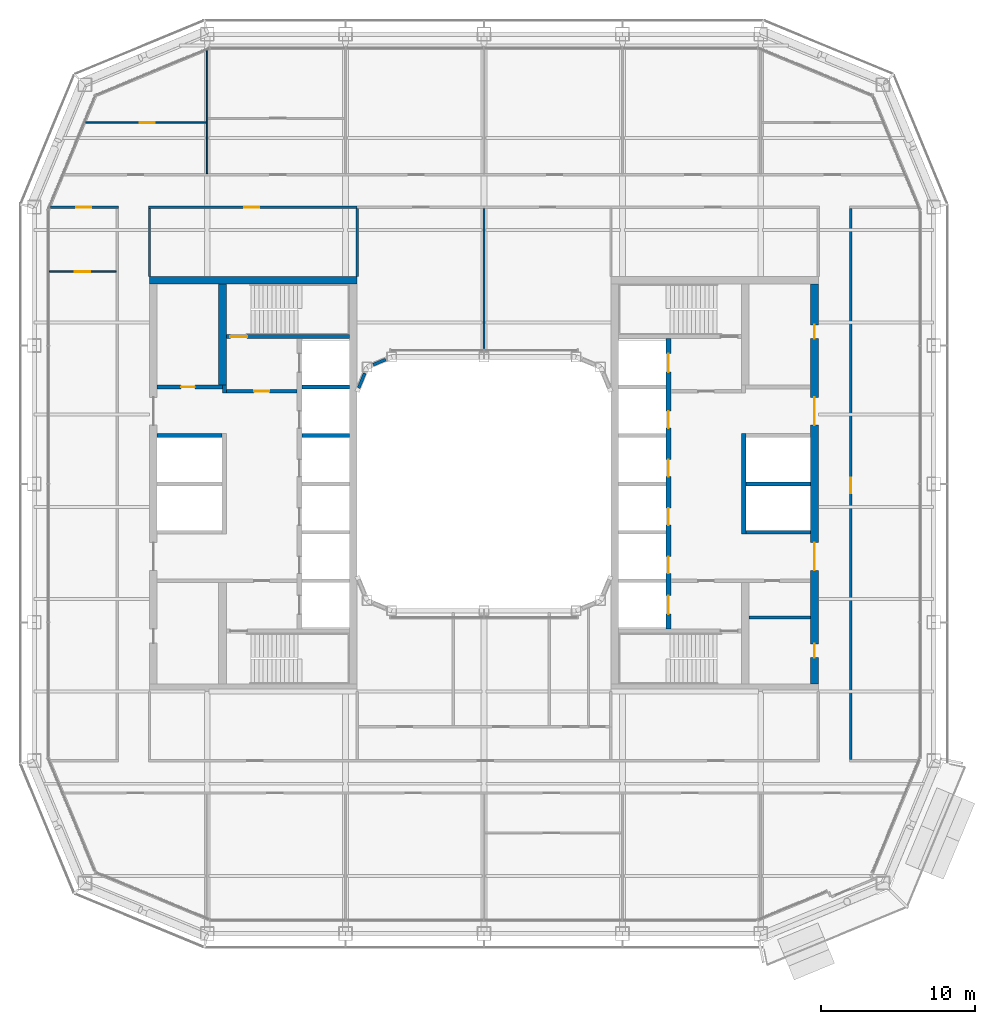
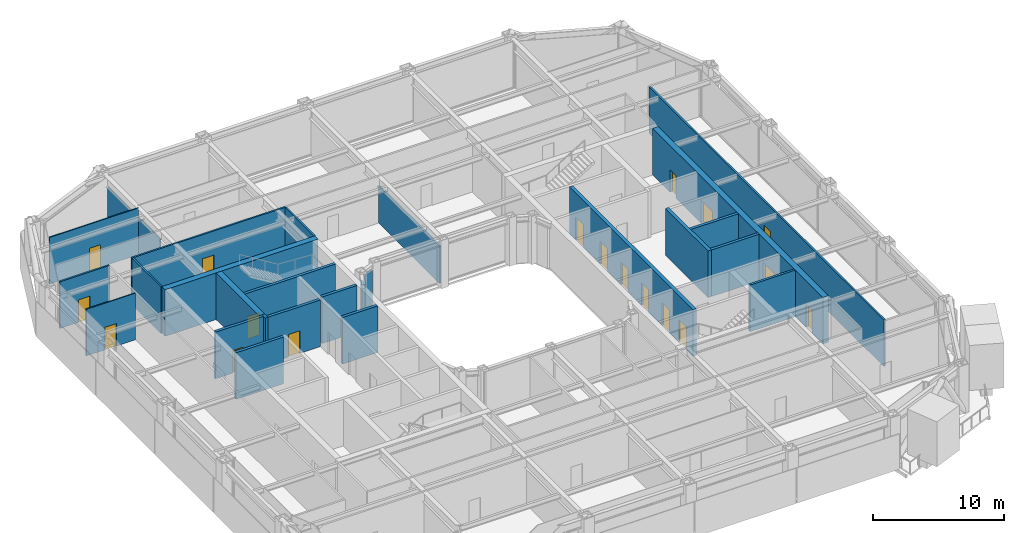
# One storey, part 13 of 23: 26 walls, 18 doors, 18 openings.
"""IFC4 building model written with IfcOpenShell, lengths in metres."""

from ifc_helpers import new_model, si_unit, direction, frame, frame_2d, origin, place, context, subcontext, project, spatial, rectangle, extrude, material, layer, layer_set, type_object, element, fill, save


model = new_model("IFC4")

# Units and contexts
model_context = context("Model", 3, precision=1e-05, world=origin(), true_north=direction((0.0, 1.0)))
body_context = subcontext(model_context, "Body", "Model", "MODEL_VIEW")
ifc_project = project(units=[si_unit("LENGTHUNIT", "METRE"), si_unit("AREAUNIT", "SQUARE_METRE"), si_unit("VOLUMEUNIT", "CUBIC_METRE"), si_unit("PLANEANGLEUNIT", "RADIAN"), si_unit("MASSUNIT", "GRAM", prefix="KILO")], contexts=[model_context])

# Site, building, storey
site_placement = place(None, origin())
site = spatial("IfcSite", under=ifc_project, at=site_placement, CompositionType="ELEMENT")
building_placement = place(site_placement, origin())
building = spatial("IfcBuilding", under=site, at=building_placement, Name="Siwar Civic Tower", CompositionType="ELEMENT")
storey_placement = place(building_placement, frame((0.0, 0.0, 163.199951171875)))
storey = spatial("IfcBuildingStorey", under=building, at=storey_placement, Name="L35", CompositionType="ELEMENT", Elevation=163.199951171875)

# Walls
ifc_material_1 = material(Name="Gypsum board on steel studs", Category="steel")
ifc_layer_1 = layer(ifc_material_1, 0.14990234375)
ifc_layer_set_1 = layer_set([ifc_layer_1], Name="Gypsum board on steel studs")
wall_type_1 = type_object("IfcWallType", Name="COMPARTMENT PARTITION 150 EI 60", PredefinedType="PARTITIONING", material=ifc_layer_set_1)
wall_1_placement = place(storey_placement, frame((-8.25, 13.5, 0.0), z_axis=(0.0, 0.0, 1.0), x_axis=(0.0, 1.0, 0.0)))
element("IfcWall", 1, at=wall_1_placement, inside=storey, type_object=wall_type_1, Name="L35/wall/P26", PredefinedType="PARTITIONING", context=body_context, shape_type="SweptSolid", body=[
    extrude(rectangle(XDim=4.425048828125, YDim=0.14990234375, at=frame_2d((2.21240234375, 0.0))), origin(), (0.0, 0.0, 1.0), 4.35009765625),
])
wall_2_placement = place(storey_placement, frame((0.0, 8.64990234375, 0.0), z_axis=(0.0, 0.0, 1.0), x_axis=(0.0, 1.0, 0.0)))
element("IfcWall", 2, at=wall_2_placement, inside=storey, type_object=wall_type_1, Name="L35/wall/P30", PredefinedType="PARTITIONING", context=body_context, shape_type="SweptSolid", body=[
    extrude(rectangle(XDim=9.275146484375, YDim=0.14990234375, at=frame_2d((4.6376953125, 0.0))), origin(), (0.0, 0.0, 1.0), 3.449951171875),
])
ifc_material_2 = material(Name="Gypsum board on steel studs", Category="steel")
ifc_layer_2 = layer(ifc_material_2, 0.199951171875)
ifc_layer_set_2 = layer_set([ifc_layer_2], Name="Gypsum board on steel studs")
wall_type_2 = type_object("IfcWallType", Name="CORE-PARTITION-200", PredefinedType="PARTITIONING", material=ifc_layer_set_2)
wall_3_placement = place(storey_placement, frame((17.25, -8.699951171875, 0.0), z_axis=(0.0, 0.0, 1.0), x_axis=(1.0, 0.0, 0.0)))
element("IfcWall", 3, at=wall_3_placement, inside=storey, type_object=wall_type_2, Name="Core partition E", PredefinedType="PARTITIONING", context=body_context, shape_type="SweptSolid", body=[
    extrude(rectangle(XDim=4.0, YDim=0.199951171875, at=frame_2d((2.0, 0.0))), origin(), (0.0, 0.0, 1.0), 4.35009765625),
])

# Wall, opening, door
ifc_material_3 = material(Name="Concrete C60/75", Category="concrete")
ifc_layer_3 = layer(ifc_material_3, 0.25)
ifc_layer_set_3 = layer_set([ifc_layer_3], Name="Concrete C60/75")
wall_type_3 = type_object("IfcWallType", Name="CORE-WALL-RC250", PredefinedType="SHEAR", material=ifc_layer_set_3)
wall_4_placement = place(storey_placement, frame((-12.14990234375, 6.02490234375, 0.0), z_axis=(0.0, 0.0, 1.0), x_axis=(-1.0, 0.0, 0.0)))
wall_4 = element("IfcWall", 4, at=wall_4_placement, inside=storey, type_object=wall_type_3, Name="Core wall W", PredefinedType="SHEAR", context=body_context, shape_type="SweptSolid", body=[
    extrude(rectangle(XDim=4.60009765625, YDim=0.25, at=frame_2d((2.300048828125, 0.0))), origin(), (0.0, 0.0, 1.0), 4.35009765625),
])
opening_1_placement = place(wall_4_placement, frame((1.800048828125, 0.0, 0.0)))
opening_1 = element("IfcOpeningElement", 5, at=opening_1_placement, cuts=wall_4, Name="Opening L35-CW01", PredefinedType="OPENING", context=body_context, shape_type="SweptSolid", body=[
    extrude(rectangle(XDim=1.0, YDim=2.10009765625, at=frame_2d((0.5, 1.050048828125))), frame((0.0, 0.135009765625, 0.0), z_axis=(0.0, -1.0, 0.0), x_axis=(1.0, 0.0, 0.0)), (0.0, 0.0, 1.0), 0.27001953125),
])
ifc_material_4 = material(Name="Steel door leaf", Category="steel")
door_type_1 = type_object("IfcDoorType", Name="CORE-DOOR-FD30S", OperationType="SINGLE_SWING_LEFT", PredefinedType="DOOR", material=ifc_material_4)
door_1_placement = place(opening_1_placement, origin())
door_1 = element("IfcDoor", 6, at=door_1_placement, inside=storey, type_object=door_type_1, Name="Firefighting lobby door L35-CW01", OperationType="SINGLE_SWING_LEFT", OverallHeight=2.10009765625, OverallWidth=1.0, PredefinedType="DOOR", context=body_context, shape_type="SweptSolid", body=[
    extrude(rectangle(XDim=1.0, YDim=2.10009765625, at=frame_2d((0.5, 1.050048828125))), frame((0.0, 0.02490234375, 0.0), z_axis=(0.0, -1.0, 0.0), x_axis=(1.0, 0.0, 0.0)), (0.0, 0.0, 1.0), 0.050048828125),
])
fill(opening_1, door_1)

# Wall
wall_5_placement = place(storey_placement, frame((-16.875, 5.89990234375, 0.0), z_axis=(0.0, 0.0, 1.0), x_axis=(0.0, 1.0, 0.0)))
element("IfcWall", 7, at=wall_5_placement, inside=storey, type_object=wall_type_3, Name="Core wall W", PredefinedType="SHEAR", context=body_context, shape_type="SweptSolid", body=[
    extrude(rectangle(XDim=0.525146484375, YDim=0.25, at=frame_2d((0.2626953125, 0.0))), origin(), (0.0, 0.0, 1.0), 4.35009765625),
])

# Wall, opening, door
wall_6_placement = place(storey_placement, frame((-17.0, 6.300048828125, 0.0), z_axis=(0.0, 0.0, 1.0), x_axis=(-1.0, 0.0, 0.0)))
wall_6 = element("IfcWall", 8, at=wall_6_placement, inside=storey, type_object=wall_type_3, Name="Core wall W", PredefinedType="SHEAR", context=body_context, shape_type="SweptSolid", body=[
    extrude(rectangle(XDim=4.25, YDim=0.25, at=frame_2d((2.125, 0.0))), origin(), (0.0, 0.0, 1.0), 4.35009765625),
])
opening_2_placement = place(wall_6_placement, frame((1.800048828125, 0.0, 0.0)))
opening_2 = element("IfcOpeningElement", 9, at=opening_2_placement, cuts=wall_6, Name="Opening L35-CW13", PredefinedType="OPENING", context=body_context, shape_type="SweptSolid", body=[
    extrude(rectangle(XDim=0.89990234375, YDim=2.10009765625, at=frame_2d((0.449951171875, 1.050048828125))), frame((0.0, 0.135009765625, 0.0), z_axis=(0.0, -1.0, 0.0), x_axis=(1.0, 0.0, 0.0)), (0.0, 0.0, 1.0), 0.27001953125),
])
ifc_material_5 = material(Name="Steel door leaf", Category="steel")
door_type_2 = type_object("IfcDoorType", Name="CORE-DOOR-ROOM", OperationType="SINGLE_SWING_LEFT", PredefinedType="DOOR", material=ifc_material_5)
door_2_placement = place(opening_2_placement, origin())
door_2 = element("IfcDoor", 10, at=door_2_placement, inside=storey, type_object=door_type_2, Name="Core room door L35-CW13", OperationType="SINGLE_SWING_LEFT", OverallHeight=2.10009765625, OverallWidth=0.89990234375, PredefinedType="DOOR", context=body_context, shape_type="SweptSolid", body=[
    extrude(rectangle(XDim=0.89990234375, YDim=2.10009765625, at=frame_2d((0.449951171875, 1.050048828125))), frame((0.0, 0.02490234375, 0.0), z_axis=(0.0, -1.0, 0.0), x_axis=(1.0, 0.0, 0.0)), (0.0, 0.0, 1.0), 0.050048828125),
])
fill(opening_2, door_2)

# Walls
wall_7_placement = place(storey_placement, frame((-17.050048828125, 3.14990234375, 0.0), z_axis=(0.0, 0.0, 1.0), x_axis=(-1.0, 0.0, 0.0)))
element("IfcWall", 11, at=wall_7_placement, inside=storey, type_object=wall_type_3, Name="Core wall W", PredefinedType="SHEAR", context=body_context, shape_type="SweptSolid", body=[
    extrude(rectangle(XDim=4.199951171875, YDim=0.25, at=frame_2d((2.10009765625, 0.0))), origin(), (0.0, 0.0, 1.0), 4.35009765625),
])
for number, where, z_axis, x_axis, name in (
    (12, (-8.75, 3.14990234375, 0.0), (0.0, 0.0, 1.0), (-1.0, 0.0, 0.0), "Core wall W"),
    (13, (-8.75, 6.300048828125, 0.0), (0.0, 0.0, 1.0), (-1.0, 0.0, 0.0), "Core wall W"),
):
    element("IfcWall", number, at=place(storey_placement, frame(where, z_axis=z_axis, x_axis=x_axis)), inside=storey, type_object=wall_type_3, Name=name, PredefinedType="SHEAR", context=body_context, shape_type="SweptSolid", body=[
        extrude(rectangle(XDim=3.10009765625, YDim=0.25, at=frame_2d((1.550048828125, 0.0))), origin(), (0.0, 0.0, 1.0), 4.35009765625),
    ])

# Wall, opening, door
wall_8_placement = place(storey_placement, frame((-8.75, 9.574951171875, 0.0), z_axis=(0.0, 0.0, 1.0), x_axis=(-1.0, 0.0, 0.0)))
wall_8 = element("IfcWall", 14, at=wall_8_placement, inside=storey, type_object=wall_type_3, Name="Core wall W", PredefinedType="SHEAR", context=body_context, shape_type="SweptSolid", body=[
    extrude(rectangle(XDim=8.0, YDim=0.25, at=frame_2d((4.0, 0.0))), origin(), (0.0, 0.0, 1.0), 4.35009765625),
])
opening_3_placement = place(wall_8_placement, frame((6.64990234375, 0.0, 0.0)))
opening_3 = element("IfcOpeningElement", 15, at=opening_3_placement, cuts=wall_8, Name="Opening L35-CW03", PredefinedType="OPENING", context=body_context, shape_type="SweptSolid", body=[
    extrude(rectangle(XDim=1.10009765625, YDim=2.10009765625, at=frame_2d((0.550048828125, 1.050048828125))), frame((0.0, 0.135009765625, 0.0), z_axis=(0.0, -1.0, 0.0), x_axis=(1.0, 0.0, 0.0)), (0.0, 0.0, 1.0), 0.27001953125),
])
ifc_material_6 = material(Name="Steel door leaf", Category="steel")
door_type_3 = type_object("IfcDoorType", Name="CORE-DOOR-FD60S", OperationType="SINGLE_SWING_LEFT", PredefinedType="DOOR", material=ifc_material_6)
door_3_placement = place(opening_3_placement, origin())
door_3 = element("IfcDoor", 16, at=door_3_placement, inside=storey, type_object=door_type_3, Name="Stair door L35-CW03", OperationType="SINGLE_SWING_RIGHT", OverallHeight=2.10009765625, OverallWidth=1.10009765625, PredefinedType="DOOR", context=body_context, shape_type="SweptSolid", body=[
    extrude(rectangle(XDim=1.10009765625, YDim=2.10009765625, at=frame_2d((0.550048828125, 1.050048828125))), frame((0.0, 0.02490234375, 0.0), z_axis=(0.0, -1.0, 0.0), x_axis=(1.0, 0.0, 0.0)), (0.0, 0.0, 1.0), 0.050048828125),
])
fill(opening_3, door_3)

# Walls
for number, where, z_axis, x_axis, name in (
    (17, (17.050048828125, 0.0, 0.0), (0.0, 0.0, 1.0), (1.0, 0.0, 0.0), "Core wall E"),
    (18, (17.050048828125, -3.14990234375, 0.0), (0.0, 0.0, 1.0), (1.0, 0.0, 0.0), "Core wall E"),
):
    element("IfcWall", number, at=place(storey_placement, frame(where, z_axis=z_axis, x_axis=x_axis)), inside=storey, type_object=wall_type_3, Name=name, PredefinedType="SHEAR", context=body_context, shape_type="SweptSolid", body=[
        extrude(rectangle(XDim=4.199951171875, YDim=0.25, at=frame_2d((2.10009765625, 0.0))), origin(), (0.0, 0.0, 1.0), 4.35009765625),
    ])

# Wall, openings, doors
ifc_material_7 = material(Name="Concrete C60/75", Category="concrete")
ifc_layer_4 = layer(ifc_material_7, 0.300048828125)
ifc_layer_set_4 = layer_set([ifc_layer_4], Name="Concrete C60/75")
wall_type_4 = type_object("IfcWallType", Name="CORE-WALL-RC300", PredefinedType="SHEAR", material=ifc_layer_set_4)
wall_9_placement = place(storey_placement, frame((12.0, -9.449951171875, 0.0), z_axis=(0.0, 0.0, 1.0), x_axis=(0.0, 1.0, 0.0)))
wall_9 = element("IfcWall", 19, at=wall_9_placement, inside=storey, type_object=wall_type_4, Name="Core wall E", PredefinedType="SHEAR", context=body_context, shape_type="SweptSolid", body=[
    extrude(rectangle(XDim=18.89990234375, YDim=0.300048828125, at=frame_2d((9.449951171875, 0.0))), origin(), (0.0, 0.0, 1.0), 4.35009765625),
])
opening_4_placement = place(wall_9_placement, frame((3.625, 0.0, 0.0)))
opening_4 = element("IfcOpeningElement", 20, at=opening_4_placement, cuts=wall_9, Name="Opening L35-CE07", PredefinedType="OPENING", context=body_context, shape_type="SweptSolid", body=[
    extrude(rectangle(XDim=1.10009765625, YDim=2.10009765625, at=frame_2d((0.550048828125, 1.050048828125))), frame((0.0, 0.16015625, 0.0), z_axis=(0.0, -1.0, 0.0), x_axis=(1.0, 0.0, 0.0)), (0.0, 0.0, 1.0), 0.320068359375),
])
opening_5_placement = place(wall_9_placement, frame((6.77490234375, 0.0, 0.0)))
opening_5 = element("IfcOpeningElement", 21, at=opening_5_placement, cuts=wall_9, Name="Opening L35-CE08", PredefinedType="OPENING", context=body_context, shape_type="SweptSolid", body=[
    extrude(rectangle(XDim=1.10009765625, YDim=2.10009765625, at=frame_2d((0.550048828125, 1.050048828125))), frame((0.0, 0.16015625, 0.0), z_axis=(0.0, -1.0, 0.0), x_axis=(1.0, 0.0, 0.0)), (0.0, 0.0, 1.0), 0.320068359375),
])
opening_6_placement = place(wall_9_placement, frame((9.925048828125, 0.0, 0.0)))
opening_6 = element("IfcOpeningElement", 22, at=opening_6_placement, cuts=wall_9, Name="Opening L35-CE09", PredefinedType="OPENING", context=body_context, shape_type="SweptSolid", body=[
    extrude(rectangle(XDim=1.10009765625, YDim=2.10009765625, at=frame_2d((0.550048828125, 1.050048828125))), frame((0.0, 0.16015625, 0.0), z_axis=(0.0, -1.0, 0.0), x_axis=(1.0, 0.0, 0.0)), (0.0, 0.0, 1.0), 0.320068359375),
])
opening_7_placement = place(wall_9_placement, frame((13.074951171875, 0.0, 0.0)))
opening_7 = element("IfcOpeningElement", 23, at=opening_7_placement, cuts=wall_9, Name="Opening L35-CE10", PredefinedType="OPENING", context=body_context, shape_type="SweptSolid", body=[
    extrude(rectangle(XDim=1.10009765625, YDim=2.10009765625, at=frame_2d((0.550048828125, 1.050048828125))), frame((0.0, 0.16015625, 0.0), z_axis=(0.0, -1.0, 0.0), x_axis=(1.0, 0.0, 0.0)), (0.0, 0.0, 1.0), 0.320068359375),
])
opening_8_placement = place(wall_9_placement, frame((16.72509765625, 0.0, 0.0)))
opening_8 = element("IfcOpeningElement", 24, at=opening_8_placement, cuts=wall_9, Name="Opening L35-CE11", PredefinedType="OPENING", context=body_context, shape_type="SweptSolid", body=[
    extrude(rectangle(XDim=1.199951171875, YDim=2.10009765625, at=frame_2d((0.60009765625, 1.050048828125))), frame((0.0, 0.16015625, 0.0), z_axis=(0.0, -1.0, 0.0), x_axis=(1.0, 0.0, 0.0)), (0.0, 0.0, 1.0), 0.320068359375),
])
opening_9_placement = place(wall_9_placement, frame((0.97509765625, 0.0, 0.0)))
opening_9 = element("IfcOpeningElement", 25, at=opening_9_placement, cuts=wall_9, Name="Opening L35-CE12", PredefinedType="OPENING", context=body_context, shape_type="SweptSolid", body=[
    extrude(rectangle(XDim=1.199951171875, YDim=2.10009765625, at=frame_2d((0.60009765625, 1.050048828125))), frame((0.0, 0.16015625, 0.0), z_axis=(0.0, -1.0, 0.0), x_axis=(1.0, 0.0, 0.0)), (0.0, 0.0, 1.0), 0.320068359375),
])
ifc_material_8 = material(Name="Steel door leaf", Category="steel")
door_type_4 = type_object("IfcDoorType", Name="CORE-DOOR-LD", OperationType="DOUBLE_DOOR_SLIDING", PredefinedType="DOOR", material=ifc_material_8)
door_4_placement = place(opening_4_placement, origin())
door_4 = element("IfcDoor", 26, at=door_4_placement, inside=storey, type_object=door_type_4, Name="Landing door LR5 L35-CE07", OperationType="DOUBLE_DOOR_SLIDING", OverallHeight=2.10009765625, OverallWidth=1.10009765625, PredefinedType="DOOR", context=body_context, shape_type="SweptSolid", body=[
    extrude(rectangle(XDim=1.10009765625, YDim=2.10009765625, at=frame_2d((0.550048828125, 1.050048828125))), frame((0.0, 0.02490234375, 0.0), z_axis=(0.0, -1.0, 0.0), x_axis=(1.0, 0.0, 0.0)), (0.0, 0.0, 1.0), 0.050048828125),
])
fill(opening_4, door_4)
door_5_placement = place(opening_5_placement, origin())
door_5 = element("IfcDoor", 27, at=door_5_placement, inside=storey, type_object=door_type_4, Name="Landing door LR6 L35-CE08", OperationType="DOUBLE_DOOR_SLIDING", OverallHeight=2.10009765625, OverallWidth=1.10009765625, PredefinedType="DOOR", context=body_context, shape_type="SweptSolid", body=[
    extrude(rectangle(XDim=1.10009765625, YDim=2.10009765625, at=frame_2d((0.550048828125, 1.050048828125))), frame((0.0, 0.02490234375, 0.0), z_axis=(0.0, -1.0, 0.0), x_axis=(1.0, 0.0, 0.0)), (0.0, 0.0, 1.0), 0.050048828125),
])
fill(opening_5, door_5)
door_6_placement = place(opening_6_placement, origin())
door_6 = element("IfcDoor", 28, at=door_6_placement, inside=storey, type_object=door_type_4, Name="Landing door LR7 L35-CE09", OperationType="DOUBLE_DOOR_SLIDING", OverallHeight=2.10009765625, OverallWidth=1.10009765625, PredefinedType="DOOR", context=body_context, shape_type="SweptSolid", body=[
    extrude(rectangle(XDim=1.10009765625, YDim=2.10009765625, at=frame_2d((0.550048828125, 1.050048828125))), frame((0.0, 0.02490234375, 0.0), z_axis=(0.0, -1.0, 0.0), x_axis=(1.0, 0.0, 0.0)), (0.0, 0.0, 1.0), 0.050048828125),
])
fill(opening_6, door_6)
door_7_placement = place(opening_7_placement, origin())
door_7 = element("IfcDoor", 29, at=door_7_placement, inside=storey, type_object=door_type_4, Name="Landing door LR8 L35-CE10", OperationType="DOUBLE_DOOR_SLIDING", OverallHeight=2.10009765625, OverallWidth=1.10009765625, PredefinedType="DOOR", context=body_context, shape_type="SweptSolid", body=[
    extrude(rectangle(XDim=1.10009765625, YDim=2.10009765625, at=frame_2d((0.550048828125, 1.050048828125))), frame((0.0, 0.02490234375, 0.0), z_axis=(0.0, -1.0, 0.0), x_axis=(1.0, 0.0, 0.0)), (0.0, 0.0, 1.0), 0.050048828125),
])
fill(opening_7, door_7)
ifc_material_9 = material(Name="Steel door leaf", Category="steel")
door_type_5 = type_object("IfcDoorType", Name="CORE-DOOR-LDW", OperationType="DOUBLE_DOOR_SLIDING", PredefinedType="DOOR", material=ifc_material_9)
door_8_placement = place(opening_8_placement, origin())
door_8 = element("IfcDoor", 30, at=door_8_placement, inside=storey, type_object=door_type_5, Name="Landing door FF2 L35-CE11", OperationType="DOUBLE_DOOR_SLIDING", OverallHeight=2.10009765625, OverallWidth=1.199951171875, PredefinedType="DOOR", context=body_context, shape_type="SweptSolid", body=[
    extrude(rectangle(XDim=1.199951171875, YDim=2.10009765625, at=frame_2d((0.60009765625, 1.050048828125))), frame((0.0, 0.02490234375, 0.0), z_axis=(0.0, -1.0, 0.0), x_axis=(1.0, 0.0, 0.0)), (0.0, 0.0, 1.0), 0.050048828125),
])
fill(opening_8, door_8)
door_9_placement = place(opening_9_placement, origin())
door_9 = element("IfcDoor", 31, at=door_9_placement, inside=storey, type_object=door_type_5, Name="Landing door SV2 L35-CE12", OperationType="DOUBLE_DOOR_SLIDING", OverallHeight=2.10009765625, OverallWidth=1.199951171875, PredefinedType="DOOR", context=body_context, shape_type="SweptSolid", body=[
    extrude(rectangle(XDim=1.199951171875, YDim=2.10009765625, at=frame_2d((0.60009765625, 1.050048828125))), frame((0.0, 0.02490234375, 0.0), z_axis=(0.0, -1.0, 0.0), x_axis=(1.0, 0.0, 0.0)), (0.0, 0.0, 1.0), 0.050048828125),
])
fill(opening_9, door_9)

# Walls
wall_10_placement = place(storey_placement, frame((16.89990234375, -3.27490234375, 0.0), z_axis=(0.0, 0.0, 1.0), x_axis=(0.0, 1.0, 0.0)))
element("IfcWall", 32, at=wall_10_placement, inside=storey, type_object=wall_type_4, Name="Core wall E", PredefinedType="SHEAR", context=body_context, shape_type="SweptSolid", body=[
    extrude(rectangle(XDim=6.5498046875, YDim=0.300048828125, at=frame_2d((3.27490234375, 0.0))), origin(), (0.0, 0.0, 1.0), 4.35009765625),
])
ifc_material_10 = material(Name="Concrete C60/75", Category="concrete")
ifc_layer_5 = layer(ifc_material_10, 0.5)
ifc_layer_set_5 = layer_set([ifc_layer_5], Name="Concrete C60/75")
wall_type_5 = type_object("IfcWallType", Name="CORE-WALL-RC500", PredefinedType="SHEAR", material=ifc_layer_set_5)
wall_11_placement = place(storey_placement, frame((-17.0, 6.425048828125, 0.0), z_axis=(0.0, 0.0, 1.0), x_axis=(0.0, 1.0, 0.0)))
element("IfcWall", 33, at=wall_11_placement, inside=storey, type_object=wall_type_5, Name="Core wall W", PredefinedType="SHEAR", context=body_context, shape_type="SweptSolid", body=[
    extrude(rectangle(XDim=6.574951171875, YDim=0.5, at=frame_2d((3.28759765625, 0.0))), origin(), (0.0, 0.0, 1.0), 4.35009765625),
])
wall_12_placement = place(storey_placement, frame((-8.25, 13.25, 0.0), z_axis=(0.0, 0.0, 1.0), x_axis=(-1.0, 0.0, 0.0)))
element("IfcWall", 34, at=wall_12_placement, inside=storey, type_object=wall_type_5, Name="Core wall W", PredefinedType="SHEAR", context=body_context, shape_type="SweptSolid", body=[
    extrude(rectangle(XDim=13.5, YDim=0.5, at=frame_2d((6.75, 0.0))), origin(), (0.0, 0.0, 1.0), 4.35009765625),
])

# Wall, openings, doors
wall_13_placement = place(storey_placement, frame((21.5, -13.0, 0.0), z_axis=(0.0, 0.0, 1.0), x_axis=(0.0, 1.0, 0.0)))
wall_13 = element("IfcWall", 35, at=wall_13_placement, inside=storey, type_object=wall_type_5, Name="Core wall E", PredefinedType="SHEAR", context=body_context, shape_type="SweptSolid", body=[
    extrude(rectangle(XDim=26.0, YDim=0.5, at=frame_2d((13.0, 0.0))), origin(), (0.0, 0.0, 1.0), 4.35009765625),
])
opening_10_placement = place(wall_13_placement, frame((16.824951171875, 0.0, 0.0)))
opening_10 = element("IfcOpeningElement", 36, at=opening_10_placement, cuts=wall_13, Name="Opening L35-CE05", PredefinedType="OPENING", context=body_context, shape_type="SweptSolid", body=[
    extrude(rectangle(XDim=1.800048828125, YDim=2.10009765625, at=frame_2d((0.89990234375, 1.050048828125))), frame((0.0, 0.260009765625, 0.0), z_axis=(0.0, -1.0, 0.0), x_axis=(1.0, 0.0, 0.0)), (0.0, 0.0, 1.0), 0.52001953125),
])
opening_11_placement = place(wall_13_placement, frame((7.375, 0.0, 0.0)))
opening_11 = element("IfcOpeningElement", 37, at=opening_11_placement, cuts=wall_13, Name="Opening L35-CE06", PredefinedType="OPENING", context=body_context, shape_type="SweptSolid", body=[
    extrude(rectangle(XDim=1.800048828125, YDim=2.10009765625, at=frame_2d((0.89990234375, 1.050048828125))), frame((0.0, 0.260009765625, 0.0), z_axis=(0.0, -1.0, 0.0), x_axis=(1.0, 0.0, 0.0)), (0.0, 0.0, 1.0), 0.52001953125),
])
opening_12_placement = place(wall_13_placement, frame((22.449951171875, 0.0, 0.0)))
opening_12 = element("IfcOpeningElement", 38, at=opening_12_placement, cuts=wall_13, Name="Opening L35-CE13", PredefinedType="OPENING", context=body_context, shape_type="SweptSolid", body=[
    extrude(rectangle(XDim=0.89990234375, YDim=2.10009765625, at=frame_2d((0.449951171875, 1.050048828125))), frame((0.0, 0.260009765625, 0.0), z_axis=(0.0, -1.0, 0.0), x_axis=(1.0, 0.0, 0.0)), (0.0, 0.0, 1.0), 0.52001953125),
])
opening_13_placement = place(wall_13_placement, frame((1.699951171875, 0.0, 0.0)))
opening_13 = element("IfcOpeningElement", 39, at=opening_13_placement, cuts=wall_13, Name="Opening L35-CE15", PredefinedType="OPENING", context=body_context, shape_type="SweptSolid", body=[
    extrude(rectangle(XDim=0.89990234375, YDim=2.10009765625, at=frame_2d((0.449951171875, 1.050048828125))), frame((0.0, 0.260009765625, 0.0), z_axis=(0.0, -1.0, 0.0), x_axis=(1.0, 0.0, 0.0)), (0.0, 0.0, 1.0), 0.52001953125),
])
ifc_material_11 = material(Name="Steel door leaf", Category="steel")
door_type_6 = type_object("IfcDoorType", Name="CORE-DOOR-PORT", OperationType="DOUBLE_DOOR_DOUBLE_SWING", PredefinedType="DOOR", material=ifc_material_11)
door_10_placement = place(opening_10_placement, origin())
door_10 = element("IfcDoor", 40, at=door_10_placement, inside=storey, type_object=door_type_6, Name="Core entrance door L35-CE05", OperationType="DOUBLE_DOOR_DOUBLE_SWING", OverallHeight=2.10009765625, OverallWidth=1.800048828125, PredefinedType="DOOR", context=body_context, shape_type="SweptSolid", body=[
    extrude(rectangle(XDim=1.800048828125, YDim=2.10009765625, at=frame_2d((0.89990234375, 1.050048828125))), frame((0.0, 0.02490234375, 0.0), z_axis=(0.0, -1.0, 0.0), x_axis=(1.0, 0.0, 0.0)), (0.0, 0.0, 1.0), 0.050048828125),
])
fill(opening_10, door_10)
door_11_placement = place(opening_11_placement, origin())
door_11 = element("IfcDoor", 41, at=door_11_placement, inside=storey, type_object=door_type_6, Name="Core entrance door L35-CE06", OperationType="DOUBLE_DOOR_DOUBLE_SWING", OverallHeight=2.10009765625, OverallWidth=1.800048828125, PredefinedType="DOOR", context=body_context, shape_type="SweptSolid", body=[
    extrude(rectangle(XDim=1.800048828125, YDim=2.10009765625, at=frame_2d((0.89990234375, 1.050048828125))), frame((0.0, 0.02490234375, 0.0), z_axis=(0.0, -1.0, 0.0), x_axis=(1.0, 0.0, 0.0)), (0.0, 0.0, 1.0), 0.050048828125),
])
fill(opening_11, door_11)
door_12_placement = place(opening_12_placement, origin())
door_12 = element("IfcDoor", 42, at=door_12_placement, inside=storey, type_object=door_type_2, Name="Core room door L35-CE13", OperationType="SINGLE_SWING_LEFT", OverallHeight=2.10009765625, OverallWidth=0.89990234375, PredefinedType="DOOR", context=body_context, shape_type="SweptSolid", body=[
    extrude(rectangle(XDim=0.89990234375, YDim=2.10009765625, at=frame_2d((0.449951171875, 1.050048828125))), frame((0.0, 0.02490234375, 0.0), z_axis=(0.0, -1.0, 0.0), x_axis=(1.0, 0.0, 0.0)), (0.0, 0.0, 1.0), 0.050048828125),
])
fill(opening_12, door_12)
door_13_placement = place(opening_13_placement, origin())
door_13 = element("IfcDoor", 43, at=door_13_placement, inside=storey, type_object=door_type_2, Name="Core room door L35-CE15", OperationType="SINGLE_SWING_LEFT", OverallHeight=2.10009765625, OverallWidth=0.89990234375, PredefinedType="DOOR", context=body_context, shape_type="SweptSolid", body=[
    extrude(rectangle(XDim=0.89990234375, YDim=2.10009765625, at=frame_2d((0.449951171875, 1.050048828125))), frame((0.0, 0.02490234375, 0.0), z_axis=(0.0, -1.0, 0.0), x_axis=(1.0, 0.0, 0.0)), (0.0, 0.0, 1.0), 0.050048828125),
])
fill(opening_13, door_13)

# Wall, opening, door
ifc_material_12 = material(Name="Gypsum board on steel studs", Category="steel")
ifc_layer_6 = layer(ifc_material_12, 0.14990234375)
ifc_layer_set_6 = layer_set([ifc_layer_6], Name="Gypsum board on steel studs")
wall_type_6 = type_object("IfcWallType", Name="CORRIDOR PARTITION 150 EI 30", PredefinedType="PARTITIONING", material=ifc_layer_set_6)
wall_14_placement = place(storey_placement, frame((-28.177978515625, 18.0, 0.0), z_axis=(0.0, 0.0, 1.0), x_axis=(1.0, 0.0, 0.0)))
wall_14 = element("IfcWall", 44, at=wall_14_placement, inside=storey, type_object=wall_type_6, Name="L35/wall/P09", PredefinedType="PARTITIONING", context=body_context, shape_type="SweptSolid", body=[
    extrude(rectangle(XDim=4.403076171875, YDim=0.14990234375, at=frame_2d((2.20166015625, 0.0))), origin(), (0.0, 0.0, 1.0), 4.35009765625),
])
opening_14_placement = place(wall_14_placement, frame((1.64990234375, 0.0, 0.0)))
opening_14 = element("IfcOpeningElement", 45, at=opening_14_placement, cuts=wall_14, Name="Opening D1", PredefinedType="OPENING", context=body_context, shape_type="SweptSolid", body=[
    extrude(rectangle(XDim=1.0, YDim=2.10009765625, at=frame_2d((0.5, 1.050048828125))), frame((0.0, 0.0849609375, 0.0), z_axis=(0.0, -1.0, 0.0), x_axis=(1.0, 0.0, 0.0)), (0.0, 0.0, 1.0), 0.169921875),
])
ifc_material_13 = material(Name="Timber, painted", Category="wood")
door_type_7 = type_object("IfcDoorType", Name="DOOR 1000 X 2100 FD30", OperationType="SINGLE_SWING_LEFT", PredefinedType="DOOR", material=ifc_material_13)
door_14_placement = place(opening_14_placement, origin())
door_14 = element("IfcDoor", 46, at=door_14_placement, inside=storey, type_object=door_type_7, Name="L35-D28", OperationType="SINGLE_SWING_RIGHT", OverallHeight=2.10009765625, OverallWidth=1.0, PredefinedType="DOOR", context=body_context, shape_type="SweptSolid", body=[
    extrude(rectangle(XDim=1.0, YDim=2.10009765625, at=frame_2d((0.5, 1.050048828125))), frame((0.0, 0.02490234375, 0.0), z_axis=(0.0, -1.0, 0.0), x_axis=(1.0, 0.0, 0.0)), (0.0, 0.0, 1.0), 0.050048828125),
])
fill(opening_14, door_14)

wall_15_placement = place(storey_placement, frame((-21.824951171875, 18.0, 0.0), z_axis=(0.0, 0.0, 1.0), x_axis=(1.0, 0.0, 0.0)))
wall_15 = element("IfcWall", 47, at=wall_15_placement, inside=storey, type_object=wall_type_6, Name="L35/wall/P10", PredefinedType="PARTITIONING", context=body_context, shape_type="SweptSolid", body=[
    extrude(rectangle(XDim=13.574951171875, YDim=0.14990234375, at=frame_2d((6.78759765625, 0.0))), origin(), (0.0, 0.0, 1.0), 4.35009765625),
])
opening_15_placement = place(wall_15_placement, frame((6.22509765625, 0.0, 0.0)))
opening_15 = element("IfcOpeningElement", 48, at=opening_15_placement, cuts=wall_15, Name="Opening D1", PredefinedType="OPENING", context=body_context, shape_type="SweptSolid", body=[
    extrude(rectangle(XDim=1.0, YDim=2.10009765625, at=frame_2d((0.5, 1.050048828125))), frame((0.0, 0.0849609375, 0.0), z_axis=(0.0, -1.0, 0.0), x_axis=(1.0, 0.0, 0.0)), (0.0, 0.0, 1.0), 0.169921875),
])
door_15_placement = place(opening_15_placement, origin())
door_15 = element("IfcDoor", 49, at=door_15_placement, inside=storey, type_object=door_type_7, Name="L35-D24", OperationType="SINGLE_SWING_RIGHT", OverallHeight=2.10009765625, OverallWidth=1.0, PredefinedType="DOOR", context=body_context, shape_type="SweptSolid", body=[
    extrude(rectangle(XDim=1.0, YDim=2.10009765625, at=frame_2d((0.5, 1.050048828125))), frame((0.0, 0.02490234375, 0.0), z_axis=(0.0, -1.0, 0.0), x_axis=(1.0, 0.0, 0.0)), (0.0, 0.0, 1.0), 0.050048828125),
])
fill(opening_15, door_15)

# Wall
wall_16_placement = place(storey_placement, frame((-21.75, 13.5, 0.0), z_axis=(0.0, 0.0, 1.0), x_axis=(0.0, 1.0, 0.0)))
element("IfcWall", 50, at=wall_16_placement, inside=storey, type_object=wall_type_6, Name="L35/wall/P20", PredefinedType="PARTITIONING", context=body_context, shape_type="SweptSolid", body=[
    extrude(rectangle(XDim=4.425048828125, YDim=0.14990234375, at=frame_2d((2.21240234375, 0.0))), origin(), (0.0, 0.0, 1.0), 4.35009765625),
])

# Wall, opening, door
wall_17_placement = place(storey_placement, frame((23.85009765625, -17.925048828125, 0.0), z_axis=(0.0, 0.0, 1.0), x_axis=(0.0, 1.0, 0.0)))
wall_17 = element("IfcWall", 51, at=wall_17_placement, inside=storey, type_object=wall_type_6, Name="L35/wall/P42", PredefinedType="PARTITIONING", context=body_context, shape_type="SweptSolid", body=[
    extrude(rectangle(XDim=35.85009765625, YDim=0.14990234375, at=frame_2d((17.925048828125, 0.0))), origin(), (0.0, 0.0, 1.0), 4.35009765625),
])
opening_16_placement = place(wall_17_placement, frame((17.324951171875, 0.0, 0.0)))
opening_16 = element("IfcOpeningElement", 52, at=opening_16_placement, cuts=wall_17, Name="Opening D1", PredefinedType="OPENING", context=body_context, shape_type="SweptSolid", body=[
    extrude(rectangle(XDim=1.0, YDim=2.10009765625, at=frame_2d((0.5, 1.050048828125))), frame((0.0, 0.0849609375, 0.0), z_axis=(0.0, -1.0, 0.0), x_axis=(1.0, 0.0, 0.0)), (0.0, 0.0, 1.0), 0.169921875),
])
door_16_placement = place(opening_16_placement, origin())
door_16 = element("IfcDoor", 53, at=door_16_placement, inside=storey, type_object=door_type_7, Name="L35-D30", OperationType="SINGLE_SWING_RIGHT", OverallHeight=2.10009765625, OverallWidth=1.0, PredefinedType="DOOR", context=body_context, shape_type="SweptSolid", body=[
    extrude(rectangle(XDim=1.0, YDim=2.10009765625, at=frame_2d((0.5, 1.050048828125))), frame((0.0, 0.02490234375, 0.0), z_axis=(0.0, -1.0, 0.0), x_axis=(1.0, 0.0, 0.0)), (0.0, 0.0, 1.0), 0.050048828125),
])
fill(opening_16, door_16)

# Walls
ifc_material_14 = material(Name="Aluminium clad insulated panel", Category="aluminium")
ifc_layer_7 = layer(ifc_material_14, 0.199951171875)
ifc_layer_set_7 = layer_set([ifc_layer_7], Name="Aluminium clad insulated panel")
wall_type_7 = type_object("IfcWallType", Name="ENV-WALL-WELL", PredefinedType="STANDARD", material=ifc_layer_set_7)
wall_18_placement = place(storey_placement, frame((-6.392333984375, 8.08740234375, 0.0), z_axis=(0.0, 0.0, 1.0), x_axis=(-0.923894108428, -0.382648241093, 0.0)))
element("IfcWall", 54, at=wall_18_placement, inside=storey, type_object=wall_type_7, Name="Light well corner wall NW1", PredefinedType="STANDARD", context=body_context, shape_type="SweptSolid", body=[
    extrude(rectangle(XDim=0.872802734375, YDim=0.199951171875, at=frame_2d((0.4365234375, 0.0))), origin(), (0.0, 0.0, 1.0), 3.825927734375),
])
wall_19_placement = place(storey_placement, frame((-7.75341796875, 7.19873046875, 0.0), z_axis=(0.0, 0.0, 1.0), x_axis=(-0.382694858887, -0.923874799408, 0.0)))
element("IfcWall", 55, at=wall_19_placement, inside=storey, type_object=wall_type_7, Name="Light well corner wall NW2", PredefinedType="STANDARD", context=body_context, shape_type="SweptSolid", body=[
    extrude(rectangle(XDim=1.047607421875, YDim=0.199951171875, at=frame_2d((0.52392578125, 0.0))), origin(), (0.0, 0.0, 1.0), 3.825927734375),
])

# Wall, opening, door
ifc_material_15 = material(Name="Gypsum board on steel studs", Category="steel")
ifc_layer_8 = layer(ifc_material_15, 0.10009765625)
ifc_layer_set_8 = layer_set([ifc_layer_8], Name="Gypsum board on steel studs")
wall_type_8 = type_object("IfcWallType", Name="PARTITION 100 GYPSUM", PredefinedType="PARTITIONING", material=ifc_layer_set_8)
wall_20_placement = place(storey_placement, frame((-28.260009765625, 13.800048828125, 0.0), z_axis=(0.0, 0.0, 1.0), x_axis=(1.0, 0.0, 0.0)))
wall_20 = element("IfcWall", 56, at=wall_20_placement, inside=storey, type_object=wall_type_8, Name="L35/wall/P08", PredefinedType="PARTITIONING", context=body_context, shape_type="SweptSolid", body=[
    extrude(rectangle(XDim=4.3349609375, YDim=0.10009765625, at=frame_2d((2.16748046875, 0.0))), origin(), (0.0, 0.0, 1.0), 4.35009765625),
])
opening_17_placement = place(wall_20_placement, frame((1.64990234375, 0.0, 0.0)))
opening_17 = element("IfcOpeningElement", 57, at=opening_17_placement, cuts=wall_20, Name="Opening D2", PredefinedType="OPENING", context=body_context, shape_type="SweptSolid", body=[
    extrude(rectangle(XDim=1.0, YDim=2.10009765625, at=frame_2d((0.5, 1.050048828125))), frame((0.0, 0.06005859375, 0.0), z_axis=(0.0, -1.0, 0.0), x_axis=(1.0, 0.0, 0.0)), (0.0, 0.0, 1.0), 0.1201171875),
])
ifc_material_16 = material(Name="Timber, painted", Category="wood")
door_type_8 = type_object("IfcDoorType", Name="DOOR 1000 X 2100", OperationType="SINGLE_SWING_LEFT", PredefinedType="DOOR", material=ifc_material_16)
door_17_placement = place(opening_17_placement, origin())
door_17 = element("IfcDoor", 58, at=door_17_placement, inside=storey, type_object=door_type_8, Name="L35-D29", OperationType="SINGLE_SWING_LEFT", OverallHeight=2.10009765625, OverallWidth=1.0, PredefinedType="DOOR", context=body_context, shape_type="SweptSolid", body=[
    extrude(rectangle(XDim=1.0, YDim=2.10009765625, at=frame_2d((0.5, 1.050048828125))), frame((0.0, 0.02490234375, 0.0), z_axis=(0.0, -1.0, 0.0), x_axis=(1.0, 0.0, 0.0)), (0.0, 0.0, 1.0), 0.050048828125),
])
fill(opening_17, door_17)

wall_21_placement = place(storey_placement, frame((-25.903076171875, 23.492919921875, 0.0), z_axis=(0.0, 0.0, 1.0), x_axis=(1.0, 0.0, 0.0)))
wall_21 = element("IfcWall", 59, at=wall_21_placement, inside=storey, type_object=wall_type_8, Name="L35/wall/P15", PredefinedType="PARTITIONING", context=body_context, shape_type="SweptSolid", body=[
    extrude(rectangle(XDim=7.85302734375, YDim=0.10009765625, at=frame_2d((3.926513671875, 0.0))), origin(), (0.0, 0.0, 1.0), 4.35009765625),
])
opening_18_placement = place(wall_21_placement, frame((3.5029296875, 0.0, 0.0)))
opening_18 = element("IfcOpeningElement", 60, at=opening_18_placement, cuts=wall_21, Name="Opening D2", PredefinedType="OPENING", context=body_context, shape_type="SweptSolid", body=[
    extrude(rectangle(XDim=1.0, YDim=2.10009765625, at=frame_2d((0.5, 1.050048828125))), frame((0.0, 0.06005859375, 0.0), z_axis=(0.0, -1.0, 0.0), x_axis=(1.0, 0.0, 0.0)), (0.0, 0.0, 1.0), 0.1201171875),
])
door_18_placement = place(opening_18_placement, origin())
door_18 = element("IfcDoor", 61, at=door_18_placement, inside=storey, type_object=door_type_8, Name="L35-D12", OperationType="SINGLE_SWING_RIGHT", OverallHeight=2.10009765625, OverallWidth=1.0, PredefinedType="DOOR", context=body_context, shape_type="SweptSolid", body=[
    extrude(rectangle(XDim=1.0, YDim=2.10009765625, at=frame_2d((0.5, 1.050048828125))), frame((0.0, 0.02490234375, 0.0), z_axis=(0.0, -1.0, 0.0), x_axis=(1.0, 0.0, 0.0)), (0.0, 0.0, 1.0), 0.050048828125),
])
fill(opening_18, door_18)

# Wall
wall_22_placement = place(storey_placement, frame((-18.0, 20.175048828125, 0.0), z_axis=(0.0, 0.0, 1.0), x_axis=(0.0, 1.0, 0.0)))
element("IfcWall", 62, at=wall_22_placement, inside=storey, type_object=wall_type_8, Name="L35/wall/P22", PredefinedType="PARTITIONING", context=body_context, shape_type="SweptSolid", body=[
    extrude(rectangle(XDim=8.0029296875, YDim=0.10009765625, at=frame_2d((4.00146484375, 0.0))), origin(), (0.0, 0.0, 1.0), 3.449951171875),
])

save(model, "model.ifc")
